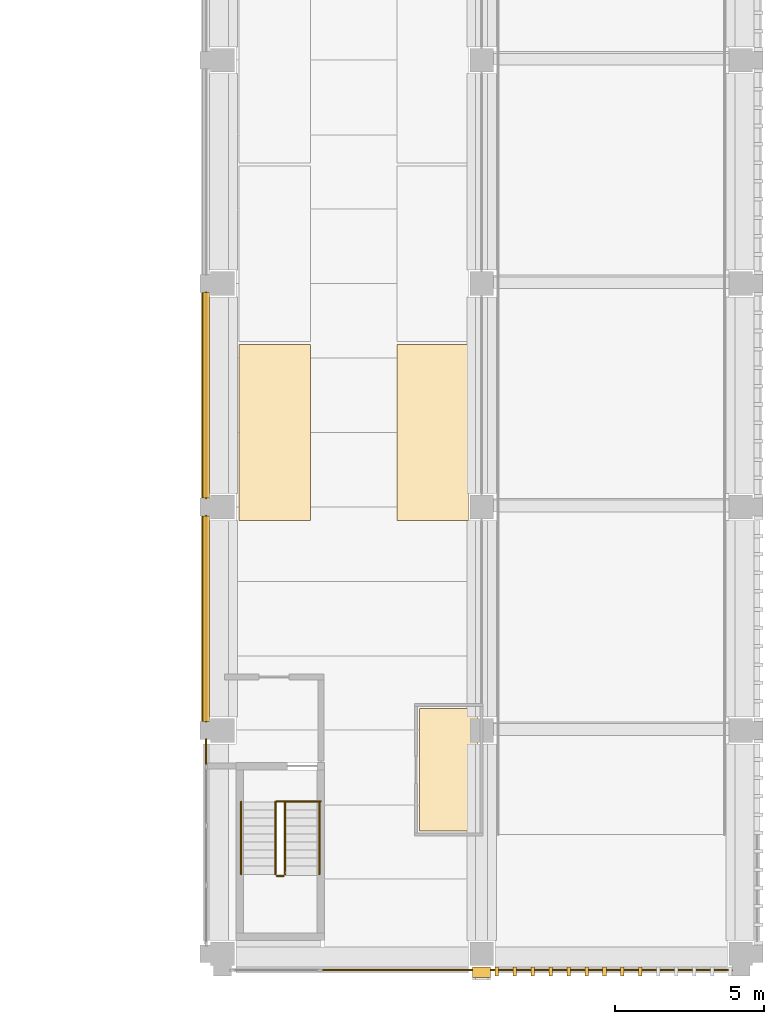
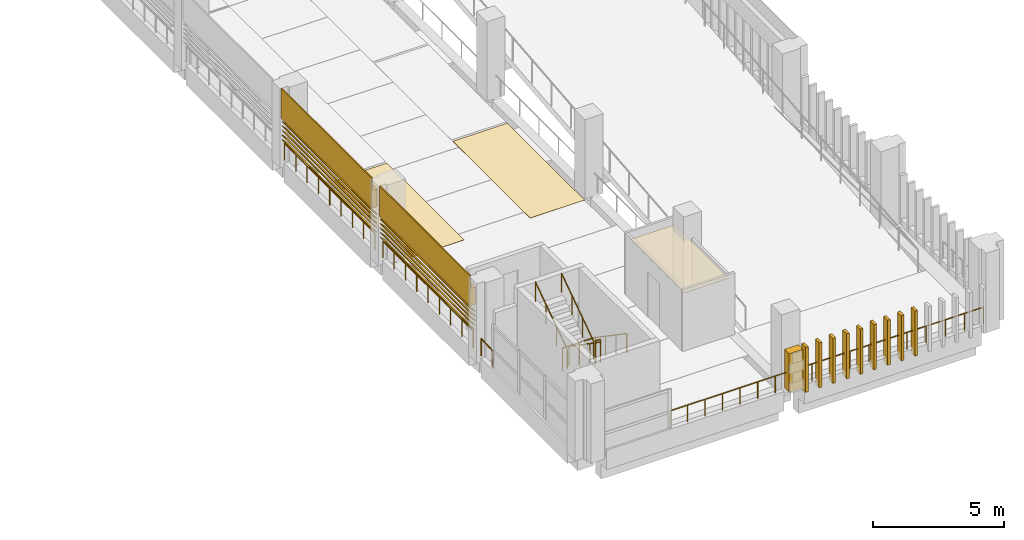
# One storey, part 51 of 61: 15 coverings, 11 railings, 10 shading devices.
"""IFC4 building model written with IfcOpenShell, lengths in metres."""

from ifc_helpers import new_model, si_unit, direction, frame, origin, origin_2d, place, context, subcontext, project, spatial, polyline, circle, outline, extrude, material, layer, layer_set, type_object, element, save


model = new_model("IFC4")

# Units and contexts
model_context = context("Model", 3, precision=1e-05, world=origin(), true_north=direction((0.0, 1.0)))
body_context = subcontext(model_context, "Body", "Model", "MODEL_VIEW")
ifc_project = project(units=[si_unit("LENGTHUNIT", "METRE"), si_unit("AREAUNIT", "SQUARE_METRE"), si_unit("VOLUMEUNIT", "CUBIC_METRE"), si_unit("PLANEANGLEUNIT", "RADIAN"), si_unit("MASSUNIT", "GRAM", prefix="KILO")], contexts=[model_context])

# Site, building, storey
site_placement = place(None, origin())
site = spatial("IfcSite", under=ifc_project, at=site_placement, CompositionType="ELEMENT")
building_placement = place(site_placement, origin())
building = spatial("IfcBuilding", under=site, at=building_placement, Name="Cour d'Honneur Mobility Palace", CompositionType="ELEMENT")
storey_placement = place(building_placement, frame((0.0, 0.0, 11.89990234375)))
storey = spatial("IfcBuildingStorey", under=building, at=storey_placement, Name="L03", CompositionType="ELEMENT", Elevation=11.89990234375)

# Railings
ifc_material_1 = material(Name="Painted steel", Category="steel")
railing_type_1 = type_object("IfcRailingType", Name="Balustrade", PredefinedType="BALUSTRADE", material=ifc_material_1)
for number, where, name in (
    (1, (144.35009765625, 22.199951171875, 0.300048828125), "Balustrade BAL-156"),
    (2, (144.35009765625, 14.699951171875, 0.300048828125), "Balustrade BAL-157"),
):
    element("IfcRailing", number, at=place(storey_placement, frame(where)), inside=storey, type_object=railing_type_1, Name=name, PredefinedType="BALUSTRADE", context=body_context, shape_type="SweptSolid", body=[
        extrude(circle(Radius=0.02392578125, at=origin_2d()), frame((0.0, 0.0, 0.77587890625), z_axis=(0.0, -1.0, 0.0), x_axis=(1.0, 0.0, 0.0)), (0.0, 0.0, 1.0), 6.89990234375),
        extrude(circle(Radius=0.02099609375, at=origin_2d()), origin(), (0.0, 0.0, 1.0), 0.751953125),
        extrude(circle(Radius=0.02099609375, at=origin_2d()), frame((0.0, -0.862548828125, 0.0)), (0.0, 0.0, 1.0), 0.751953125),
        extrude(circle(Radius=0.02099609375, at=origin_2d()), frame((0.0, -1.72509765625, 0.0)), (0.0, 0.0, 1.0), 0.751953125),
        extrude(circle(Radius=0.02099609375, at=origin_2d()), frame((0.0, -2.58740234375, 0.0)), (0.0, 0.0, 1.0), 0.751953125),
        extrude(circle(Radius=0.02099609375, at=origin_2d()), frame((0.0, -3.449951171875, 0.0)), (0.0, 0.0, 1.0), 0.751953125),
        extrude(circle(Radius=0.02099609375, at=origin_2d()), frame((0.0, -4.3125, 0.0)), (0.0, 0.0, 1.0), 0.751953125),
        extrude(circle(Radius=0.02099609375, at=origin_2d()), frame((0.0, -5.1748046875, 0.0)), (0.0, 0.0, 1.0), 0.751953125),
        extrude(circle(Radius=0.02099609375, at=origin_2d()), frame((0.0, -6.037353515625, 0.0)), (0.0, 0.0, 1.0), 0.751953125),
        extrude(circle(Radius=0.02099609375, at=origin_2d()), frame((0.0, -6.89990234375, 0.0)), (0.0, 0.0, 1.0), 0.751953125),
    ])
railing_1_placement = place(storey_placement, frame((144.35009765625, 7.199951171875, 0.300048828125)))
element("IfcRailing", 3, at=railing_1_placement, inside=storey, type_object=railing_type_1, Name="Balustrade BAL-158", PredefinedType="BALUSTRADE", context=body_context, shape_type="SweptSolid", body=[
    extrude(circle(Radius=0.02392578125, at=origin_2d()), frame((0.0, 0.0, 0.77587890625), z_axis=(0.0, -1.0, 0.0), x_axis=(1.0, 0.0, 0.0)), (0.0, 0.0, 1.0), 0.89990234375),
    extrude(circle(Radius=0.02099609375, at=origin_2d()), origin(), (0.0, 0.0, 1.0), 0.751953125),
    extrude(circle(Radius=0.02099609375, at=origin_2d()), frame((0.0, -0.89990234375, 0.0)), (0.0, 0.0, 1.0), 0.751953125),
])
railing_2_placement = place(storey_placement, frame((148.199951171875, -0.550048828125, 0.300048828125)))
element("IfcRailing", 4, at=railing_2_placement, inside=storey, type_object=railing_type_1, Name="Balustrade BAL-159", PredefinedType="BALUSTRADE", context=body_context, shape_type="SweptSolid", body=[
    extrude(circle(Radius=0.02392578125, at=origin_2d()), frame((0.0, 0.0, 0.77587890625), z_axis=(1.0, 0.0, 0.0), x_axis=(0.0, 1.0, 0.0)), (0.0, 0.0, 1.0), 5.400146484375),
    extrude(circle(Radius=0.02099609375, at=origin_2d()), origin(), (0.0, 0.0, 1.0), 0.751953125),
    extrude(circle(Radius=0.02099609375, at=origin_2d()), frame((0.771484375, 0.0, 0.0)), (0.0, 0.0, 1.0), 0.751953125),
    extrude(circle(Radius=0.02099609375, at=origin_2d()), frame((1.54296875, 0.0, 0.0)), (0.0, 0.0, 1.0), 0.751953125),
    extrude(circle(Radius=0.02099609375, at=origin_2d()), frame((2.314453125, 0.0, 0.0)), (0.0, 0.0, 1.0), 0.751953125),
    extrude(circle(Radius=0.02099609375, at=origin_2d()), frame((3.085693359375, 0.0, 0.0)), (0.0, 0.0, 1.0), 0.751953125),
    extrude(circle(Radius=0.02099609375, at=origin_2d()), frame((3.857177734375, 0.0, 0.0)), (0.0, 0.0, 1.0), 0.751953125),
    extrude(circle(Radius=0.02099609375, at=origin_2d()), frame((4.628662109375, 0.0, 0.0)), (0.0, 0.0, 1.0), 0.751953125),
    extrude(circle(Radius=0.02099609375, at=origin_2d()), frame((5.400146484375, 0.0, 0.0)), (0.0, 0.0, 1.0), 0.751953125),
])
railing_3_placement = place(storey_placement, frame((153.60009765625, -0.550048828125, 0.300048828125)))
element("IfcRailing", 5, at=railing_3_placement, inside=storey, type_object=railing_type_1, Name="Balustrade BAL-160", PredefinedType="BALUSTRADE", context=body_context, shape_type="SweptSolid", body=[
    extrude(circle(Radius=0.02392578125, at=origin_2d()), frame((0.0, 0.0, 0.77587890625), z_axis=(1.0, 0.0, 0.0), x_axis=(0.0, 1.0, 0.0)), (0.0, 0.0, 1.0), 8.39990234375),
    extrude(circle(Radius=0.02099609375, at=origin_2d()), origin(), (0.0, 0.0, 1.0), 0.751953125),
    extrude(circle(Radius=0.02099609375, at=origin_2d()), frame((0.840087890625, 0.0, 0.0)), (0.0, 0.0, 1.0), 0.751953125),
    extrude(circle(Radius=0.02099609375, at=origin_2d()), frame((1.679931640625, 0.0, 0.0)), (0.0, 0.0, 1.0), 0.751953125),
    extrude(circle(Radius=0.02099609375, at=origin_2d()), frame((2.52001953125, 0.0, 0.0)), (0.0, 0.0, 1.0), 0.751953125),
    extrude(circle(Radius=0.02099609375, at=origin_2d()), frame((3.35986328125, 0.0, 0.0)), (0.0, 0.0, 1.0), 0.751953125),
    extrude(circle(Radius=0.02099609375, at=origin_2d()), frame((4.199951171875, 0.0, 0.0)), (0.0, 0.0, 1.0), 0.751953125),
    extrude(circle(Radius=0.02099609375, at=origin_2d()), frame((5.0400390625, 0.0, 0.0)), (0.0, 0.0, 1.0), 0.751953125),
    extrude(circle(Radius=0.02099609375, at=origin_2d()), frame((5.8798828125, 0.0, 0.0)), (0.0, 0.0, 1.0), 0.751953125),
    extrude(circle(Radius=0.02099609375, at=origin_2d()), frame((6.719970703125, 0.0, 0.0)), (0.0, 0.0, 1.0), 0.751953125),
    extrude(circle(Radius=0.02099609375, at=origin_2d()), frame((7.559814453125, 0.0, 0.0)), (0.0, 0.0, 1.0), 0.751953125),
    extrude(circle(Radius=0.02099609375, at=origin_2d()), frame((8.39990234375, 0.0, 0.0)), (0.0, 0.0, 1.0), 0.751953125),
])
ifc_material_2 = material(Name="Painted steel", Category="steel")
railing_type_2 = type_object("IfcRailingType", Name="Guardrail 1100", PredefinedType="GUARDRAIL", material=ifc_material_2)
railing_4_placement = place(storey_placement, frame((146.72509765625, 5.1201171875, 0.0)))
element("IfcRailing", 6, at=railing_4_placement, inside=storey, type_object=railing_type_2, Name="Guard ST-RE1", PredefinedType="GUARDRAIL", context=body_context, shape_type="SweptSolid", body=[
    extrude(circle(Radius=0.02490234375, at=origin_2d()), frame((0.0, 0.0, 1.0751953125), z_axis=(1.0, 0.0, 0.0), x_axis=(0.0, 1.0, 0.0)), (0.0, 0.0, 1.0), 1.474853515625),
    extrude(circle(Radius=0.02099609375, at=origin_2d()), origin(), (0.0, 0.0, 1.0), 1.050048828125),
    extrude(circle(Radius=0.02099609375, at=origin_2d()), frame((0.7373046875, 0.0, 0.0)), (0.0, 0.0, 1.0), 1.050048828125),
    extrude(circle(Radius=0.02099609375, at=origin_2d()), frame((1.474853515625, 0.0, 0.0)), (0.0, 0.0, 1.0), 1.050048828125),
])
railing_5_placement = place(storey_placement, frame((146.72509765625, 2.610107421875, 1.85009765625)))
element("IfcRailing", 7, at=railing_5_placement, inside=storey, type_object=railing_type_2, Name="Landing guard ST-RE1", PredefinedType="GUARDRAIL", context=body_context, shape_type="SweptSolid", body=[
    extrude(circle(Radius=0.02490234375, at=origin_2d()), frame((0.0, 0.0, 1.0751953125), z_axis=(1.0, 0.0, 0.0), x_axis=(0.0, 1.0, 0.0)), (0.0, 0.0, 1.0), 0.224853515625),
    extrude(circle(Radius=0.02099609375, at=origin_2d()), origin(), (0.0, 0.0, 1.0), 1.050048828125),
    extrude(circle(Radius=0.02099609375, at=origin_2d()), frame((0.224853515625, 0.0, 0.0)), (0.0, 0.0, 1.0), 1.050048828125),
])
ifc_material_3 = material(Name="Stainless steel", Category="steel")
railing_type_3 = type_object("IfcRailingType", Name="Handrail round 50", PredefinedType="HANDRAIL", material=ifc_material_3)
for number, where, name in (
    (8, (148.14990234375, 5.10009765625, 0.18505859375), "Handrail ST-RE1"),
    (9, (147.0, 5.10009765625, 0.18505859375), "Handrail ST-RE1"),
):
    element("IfcRailing", number, at=place(storey_placement, frame(where)), inside=storey, type_object=railing_type_3, Name=name, PredefinedType="HANDRAIL", context=body_context, shape_type="SweptSolid", body=[
        extrude(circle(Radius=0.02490234375, at=origin_2d()), frame((0.0, 0.0, 0.89501953125), z_axis=(0.0, -0.824945253146, 0.565212640793), x_axis=(1.0, 0.0, 0.0)), (0.0, 0.0, 1.0), 2.94580078125),
        extrude(circle(Radius=0.02099609375, at=origin_2d()), origin(), (0.0, 0.0, 1.0), 0.869873046875),
        extrude(circle(Radius=0.02099609375, at=origin_2d()), frame((0.0, -0.81005859375, 0.554931640625)), (0.0, 0.0, 1.0), 0.869873046875),
        extrude(circle(Radius=0.02099609375, at=origin_2d()), frame((0.0, -1.6201171875, 1.110107421875)), (0.0, 0.0, 1.0), 0.869873046875),
        extrude(circle(Radius=0.02099609375, at=origin_2d()), frame((0.0, -2.43017578125, 1.6650390625)), (0.0, 0.0, 1.0), 0.869873046875),
    ])
for number, where, name in (
    (10, (146.675048828125, 2.669921875, 2.03515625), "Handrail ST-RE1"),
    (11, (145.52490234375, 2.669921875, 2.03515625), "Handrail ST-RE1"),
):
    element("IfcRailing", number, at=place(storey_placement, frame(where)), inside=storey, type_object=railing_type_3, Name=name, PredefinedType="HANDRAIL", context=body_context, shape_type="SweptSolid", body=[
        extrude(circle(Radius=0.02490234375, at=origin_2d()), frame((0.0, 0.0, 0.89501953125), z_axis=(0.0, 0.824945253146, 0.565212640793), x_axis=(-1.0, 0.0, 0.0)), (0.0, 0.0, 1.0), 2.94580078125),
        extrude(circle(Radius=0.02099609375, at=origin_2d()), origin(), (0.0, 0.0, 1.0), 0.869873046875),
        extrude(circle(Radius=0.02099609375, at=origin_2d()), frame((0.0, 0.81005859375, 0.554931640625)), (0.0, 0.0, 1.0), 0.869873046875),
        extrude(circle(Radius=0.02099609375, at=origin_2d()), frame((0.0, 1.6201171875, 1.110107421875)), (0.0, 0.0, 1.0), 0.869873046875),
        extrude(circle(Radius=0.02099609375, at=origin_2d()), frame((0.0, 2.43017578125, 1.6650390625)), (0.0, 0.0, 1.0), 0.869873046875),
    ])

# Coverings
ifc_material_4 = material(Name="Parking marking paint")
ifc_layer_1 = layer(ifc_material_4, 0.0048828125)
ifc_layer_set_1 = layer_set([ifc_layer_1], Name="Parking marking paint")
covering_type_1 = type_object("IfcCoveringType", Name="Parking bay marking", PredefinedType="FLOORING", material=ifc_layer_set_1)
covering_1_placement = place(storey_placement, origin())
element("IfcCovering", 12, at=covering_1_placement, inside=storey, type_object=covering_type_1, Name="Parking bay marking L03 78", PredefinedType="FLOORING", context=body_context, shape_type="SweptSolid", body=[
    extrude(outline(polyline([(153.14990234375, 14.550048828125), (150.75, 14.550048828125), (150.75, 20.449951171875), (153.14990234375, 20.449951171875), (153.14990234375, 14.550048828125)])), origin(), (0.0, 0.0, 1.0), 0.005126953125),
])
covering_2_placement = place(storey_placement, origin())
element("IfcCovering", 13, at=covering_2_placement, inside=storey, type_object=covering_type_1, Name="Parking bay marking L03 82", PredefinedType="FLOORING", context=body_context, shape_type="SweptSolid", body=[
    extrude(outline(polyline([(147.85009765625, 14.550048828125), (145.449951171875, 14.550048828125), (145.449951171875, 20.449951171875), (147.85009765625, 20.449951171875), (147.85009765625, 14.550048828125)])), origin(), (0.0, 0.0, 1.0), 0.005126953125),
])
ifc_material_5 = material(Name="Cast limestone", Category="masonry")
ifc_layer_2 = layer(ifc_material_5, 0.35009765625)
ifc_layer_set_2 = layer_set([ifc_layer_2], Name="Cast limestone")
covering_type_2 = type_object("IfcCoveringType", Name="Pier pilaster", PredefinedType="CLADDING", material=ifc_layer_set_2)
covering_3_placement = place(storey_placement, frame((0.0, 0.0, 0.300048828125)))
element("IfcCovering", 14, at=covering_3_placement, inside=storey, type_object=covering_type_2, Name="Pier pilaster PN-6", PredefinedType="CLADDING", context=body_context, shape_type="SweptSolid", body=[
    extrude(outline(polyline([(153.300048828125, -0.449951171875), (153.89990234375, -0.449951171875), (153.89990234375, -0.800048828125), (153.300048828125, -0.800048828125), (153.300048828125, -0.449951171875)])), origin(), (0.0, 0.0, 1.0), 1.800048828125),
])
ifc_material_6 = material(Name="Cast limestone", Category="masonry")
ifc_layer_3 = layer(ifc_material_6, 0.1201171875)
ifc_layer_set_3 = layer_set([ifc_layer_3], Name="Cast limestone")
covering_type_3 = type_object("IfcCoveringType", Name="Ramp screen fin", PredefinedType="CLADDING", material=ifc_layer_set_3)
covering_4_placement = place(storey_placement, origin())
element("IfcCovering", 15, at=covering_4_placement, inside=storey, type_object=covering_type_3, Name="Ramp screen fin S4.1 L03 1", PredefinedType="CLADDING", context=body_context, shape_type="SweptSolid", body=[
    extrude(outline(polyline([(154.050048828125, -0.449951171875), (154.169921875, -0.449951171875), (154.169921875, -0.75), (154.050048828125, -0.75), (154.050048828125, -0.449951171875)])), origin(), (0.0, 0.0, 1.0), 2.10009765625),
])
covering_5_placement = place(storey_placement, origin())
element("IfcCovering", 16, at=covering_5_placement, inside=storey, type_object=covering_type_3, Name="Ramp screen fin S4.1 L03 2", PredefinedType="CLADDING", context=body_context, shape_type="SweptSolid", body=[
    extrude(outline(polyline([(154.65234375, -0.449951171875), (154.772216796875, -0.449951171875), (154.772216796875, -0.75), (154.65234375, -0.75), (154.65234375, -0.449951171875)])), origin(), (0.0, 0.0, 1.0), 2.10009765625),
])
covering_6_placement = place(storey_placement, origin())
element("IfcCovering", 17, at=covering_6_placement, inside=storey, type_object=covering_type_3, Name="Ramp screen fin S4.1 L03 3", PredefinedType="CLADDING", context=body_context, shape_type="SweptSolid", body=[
    extrude(outline(polyline([(155.254638671875, -0.449951171875), (155.37451171875, -0.449951171875), (155.37451171875, -0.75), (155.254638671875, -0.75), (155.254638671875, -0.449951171875)])), origin(), (0.0, 0.0, 1.0), 2.10009765625),
])
covering_7_placement = place(storey_placement, origin())
element("IfcCovering", 18, at=covering_7_placement, inside=storey, type_object=covering_type_3, Name="Ramp screen fin S4.1 L03 4", PredefinedType="CLADDING", context=body_context, shape_type="SweptSolid", body=[
    extrude(outline(polyline([(155.85693359375, -0.449951171875), (155.976806640625, -0.449951171875), (155.976806640625, -0.75), (155.85693359375, -0.75), (155.85693359375, -0.449951171875)])), origin(), (0.0, 0.0, 1.0), 2.10009765625),
])
covering_8_placement = place(storey_placement, origin())
element("IfcCovering", 19, at=covering_8_placement, inside=storey, type_object=covering_type_3, Name="Ramp screen fin S4.1 L03 5", PredefinedType="CLADDING", context=body_context, shape_type="SweptSolid", body=[
    extrude(outline(polyline([(156.459228515625, -0.449951171875), (156.579345703125, -0.449951171875), (156.579345703125, -0.75), (156.459228515625, -0.75), (156.459228515625, -0.449951171875)])), origin(), (0.0, 0.0, 1.0), 2.10009765625),
])
covering_9_placement = place(storey_placement, origin())
element("IfcCovering", 20, at=covering_9_placement, inside=storey, type_object=covering_type_3, Name="Ramp screen fin S4.1 L03 6", PredefinedType="CLADDING", context=body_context, shape_type="SweptSolid", body=[
    extrude(outline(polyline([(157.0615234375, -0.449951171875), (157.181640625, -0.449951171875), (157.181640625, -0.75), (157.0615234375, -0.75), (157.0615234375, -0.449951171875)])), origin(), (0.0, 0.0, 1.0), 2.10009765625),
])
covering_10_placement = place(storey_placement, origin())
element("IfcCovering", 21, at=covering_10_placement, inside=storey, type_object=covering_type_3, Name="Ramp screen fin S4.1 L03 7", PredefinedType="CLADDING", context=body_context, shape_type="SweptSolid", body=[
    extrude(outline(polyline([(157.663818359375, -0.449951171875), (157.783935546875, -0.449951171875), (157.783935546875, -0.75), (157.663818359375, -0.75), (157.663818359375, -0.449951171875)])), origin(), (0.0, 0.0, 1.0), 2.10009765625),
])
covering_11_placement = place(storey_placement, origin())
element("IfcCovering", 22, at=covering_11_placement, inside=storey, type_object=covering_type_3, Name="Ramp screen fin S4.1 L03 8", PredefinedType="CLADDING", context=body_context, shape_type="SweptSolid", body=[
    extrude(outline(polyline([(158.26611328125, -0.449951171875), (158.38623046875, -0.449951171875), (158.38623046875, -0.75), (158.26611328125, -0.75), (158.26611328125, -0.449951171875)])), origin(), (0.0, 0.0, 1.0), 2.10009765625),
])
covering_12_placement = place(storey_placement, origin())
element("IfcCovering", 23, at=covering_12_placement, inside=storey, type_object=covering_type_3, Name="Ramp screen fin S4.1 L03 9", PredefinedType="CLADDING", context=body_context, shape_type="SweptSolid", body=[
    extrude(outline(polyline([(158.868408203125, -0.449951171875), (158.988525390625, -0.449951171875), (158.988525390625, -0.75), (158.868408203125, -0.75), (158.868408203125, -0.449951171875)])), origin(), (0.0, 0.0, 1.0), 2.10009765625),
])
ifc_material_7 = material(Name="Cast limestone", Category="masonry")
ifc_layer_4 = layer(ifc_material_7, 0.25)
ifc_layer_set_4 = layer_set([ifc_layer_4], Name="Cast limestone")
covering_type_4 = type_object("IfcCoveringType", Name="Spandrel cladding", PredefinedType="CLADDING", material=ifc_layer_set_4)
for number, where, z_axis, x_axis, name in (
    (24, (144.449951171875, 22.199951171875, 2.300048828125), (0.0, 1.0, 0.0), (-1.0, 0.0, 0.0), "Spandrel cladding SK-228"),
    (25, (144.449951171875, 14.699951171875, 2.300048828125), (0.0, 1.0, 0.0), (-1.0, 0.0, 0.0), "Spandrel cladding SK-229"),
):
    element("IfcCovering", number, at=place(storey_placement, frame(where, z_axis=z_axis, x_axis=x_axis)), inside=storey, type_object=covering_type_4, Name=name, PredefinedType="CLADDING", context=body_context, shape_type="SweptSolid", body=[
        extrude(outline(polyline([(0.0, 0.0), (0.25, 0.0), (0.25, 1.400146484375), (0.199951171875, 1.400146484375), (0.199951171875, 0.800048828125), (0.0, 0.800048828125), (0.0, 0.0)])), origin(), (0.0, 0.0, -1.0), 6.89990234375),
    ])
ifc_material_8 = material(Name="Suspended ceiling")
ifc_layer_5 = layer(ifc_material_8, 0.030029296875)
ifc_layer_set_5 = layer_set([ifc_layer_5], Name="Suspended ceiling")
covering_type_5 = type_object("IfcCoveringType", Name="Suspended ceiling", PredefinedType="CEILING", material=ifc_layer_set_5)
covering_13_placement = place(storey_placement, frame((0.0, 0.0, 2.550048828125)))
element("IfcCovering", 26, at=covering_13_placement, inside=storey, type_object=covering_type_5, Name="Ceiling Attendant Room East", PredefinedType="CEILING", context=body_context, shape_type="SweptSolid", body=[
    extrude(outline(polyline([(153.47998046875, 4.1201171875), (151.52001953125, 4.1201171875), (151.52001953125, 8.22998046875), (153.47998046875, 8.22998046875), (153.47998046875, 4.1201171875)])), origin(), (0.0, 0.0, 1.0), 0.030029296875),
])

# Shading devices
ifc_material_9 = material(Name="Terracotta", Category="masonry")
ifc_layer_6 = layer(ifc_material_9, 0.02490234375)
ifc_layer_set_6 = layer_set([ifc_layer_6], Name="Terracotta")
shading_device_type = type_object("IfcShadingDeviceType", Name="Terracotta louvre blade", PredefinedType="JALOUSIE", material=ifc_layer_set_6)
for number, where, z_axis, x_axis, name in (
    (27, (144.4560546875, 22.199951171875, 1.10009765625), (0.707106781187, 0.0, 0.707106781187), (0.0, -1.0, 0.0), "Louvre blade LV-1 W3.3 L03 1"),
    (28, (144.4560546875, 22.199951171875, 1.312255859375), (0.707106781187, 0.0, 0.707106781187), (0.0, -1.0, 0.0), "Louvre blade LV-1 W3.3 L03 2"),
    (29, (144.4560546875, 22.199951171875, 1.5244140625), (0.707106781187, 0.0, 0.707106781187), (0.0, -1.0, 0.0), "Louvre blade LV-1 W3.3 L03 3"),
    (30, (144.4560546875, 22.199951171875, 1.736572265625), (0.707106781187, 0.0, 0.707106781187), (0.0, -1.0, 0.0), "Louvre blade LV-1 W3.3 L03 4"),
):
    element("IfcShadingDevice", number, at=place(storey_placement, frame(where, z_axis=z_axis, x_axis=x_axis)), inside=storey, type_object=shading_device_type, Name=name, PredefinedType="JALOUSIE", context=body_context, shape_type="SweptSolid", body=[
        extrude(outline(polyline([(0.0, 0.0), (6.89990234375, 0.0), (6.89990234375, -0.300037008228081), (0.0, -0.300037008228081), (0.0, 0.0)])), origin(), (0.0, 0.0, -1.0), 0.02490234375),
    ])
shading_device_1_placement = place(storey_placement, frame((144.4560546875, 22.199951171875, 1.94873046875), z_axis=(0.706699578995, 0.0, 0.707513749017), x_axis=(0.0, -1.0, 0.0)))
element("IfcShadingDevice", 31, at=shading_device_1_placement, inside=storey, type_object=shading_device_type, Name="Louvre blade LV-1 W3.3 L03 5", PredefinedType="JALOUSIE", context=body_context, shape_type="SweptSolid", body=[
    extrude(outline(polyline([(0.0, 0.0), (6.89990234375, 0.0), (6.89990234375, -0.29986442442957895), (0.0, -0.29986442442957895), (0.0, 0.0)])), origin(), (0.0, 0.0, -1.0), 0.02490234375),
])
for number, where, z_axis, x_axis, name in (
    (32, (144.4560546875, 14.699951171875, 1.10009765625), (0.707106781187, 0.0, 0.707106781187), (0.0, -1.0, 0.0), "Louvre blade LV-1 W3.4 L03 1"),
    (33, (144.4560546875, 14.699951171875, 1.312255859375), (0.707106781187, 0.0, 0.707106781187), (0.0, -1.0, 0.0), "Louvre blade LV-1 W3.4 L03 2"),
    (34, (144.4560546875, 14.699951171875, 1.5244140625), (0.707106781187, 0.0, 0.707106781187), (0.0, -1.0, 0.0), "Louvre blade LV-1 W3.4 L03 3"),
    (35, (144.4560546875, 14.699951171875, 1.736572265625), (0.707106781187, 0.0, 0.707106781187), (0.0, -1.0, 0.0), "Louvre blade LV-1 W3.4 L03 4"),
):
    element("IfcShadingDevice", number, at=place(storey_placement, frame(where, z_axis=z_axis, x_axis=x_axis)), inside=storey, type_object=shading_device_type, Name=name, PredefinedType="JALOUSIE", context=body_context, shape_type="SweptSolid", body=[
        extrude(outline(polyline([(0.0, 0.0), (6.89990234375, 0.0), (6.89990234375, -0.300037008228081), (0.0, -0.300037008228081), (0.0, 0.0)])), origin(), (0.0, 0.0, -1.0), 0.02490234375),
    ])
shading_device_2_placement = place(storey_placement, frame((144.4560546875, 14.699951171875, 1.94873046875), z_axis=(0.706699578995, 0.0, 0.707513749017), x_axis=(0.0, -1.0, 0.0)))
element("IfcShadingDevice", 36, at=shading_device_2_placement, inside=storey, type_object=shading_device_type, Name="Louvre blade LV-1 W3.4 L03 5", PredefinedType="JALOUSIE", context=body_context, shape_type="SweptSolid", body=[
    extrude(outline(polyline([(0.0, 0.0), (6.89990234375, 0.0), (6.89990234375, -0.29986442442957895), (0.0, -0.29986442442957895), (0.0, 0.0)])), origin(), (0.0, 0.0, -1.0), 0.02490234375),
])

save(model, "model.ifc")
